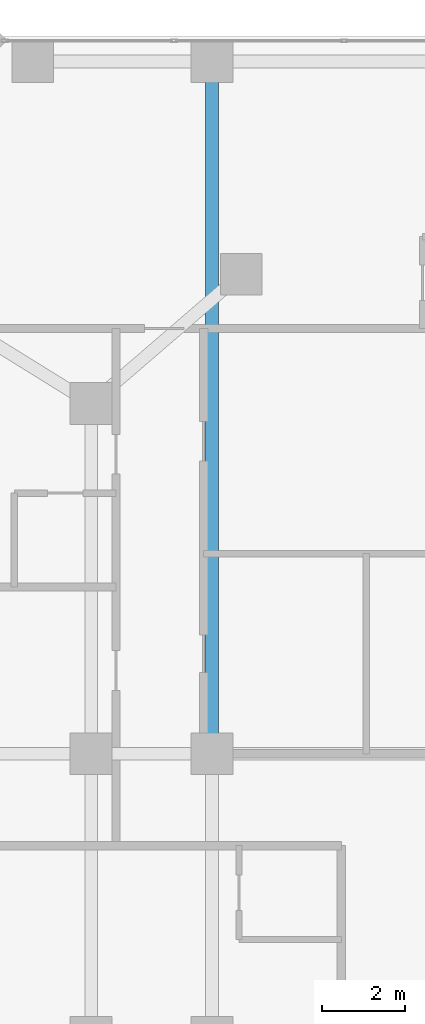
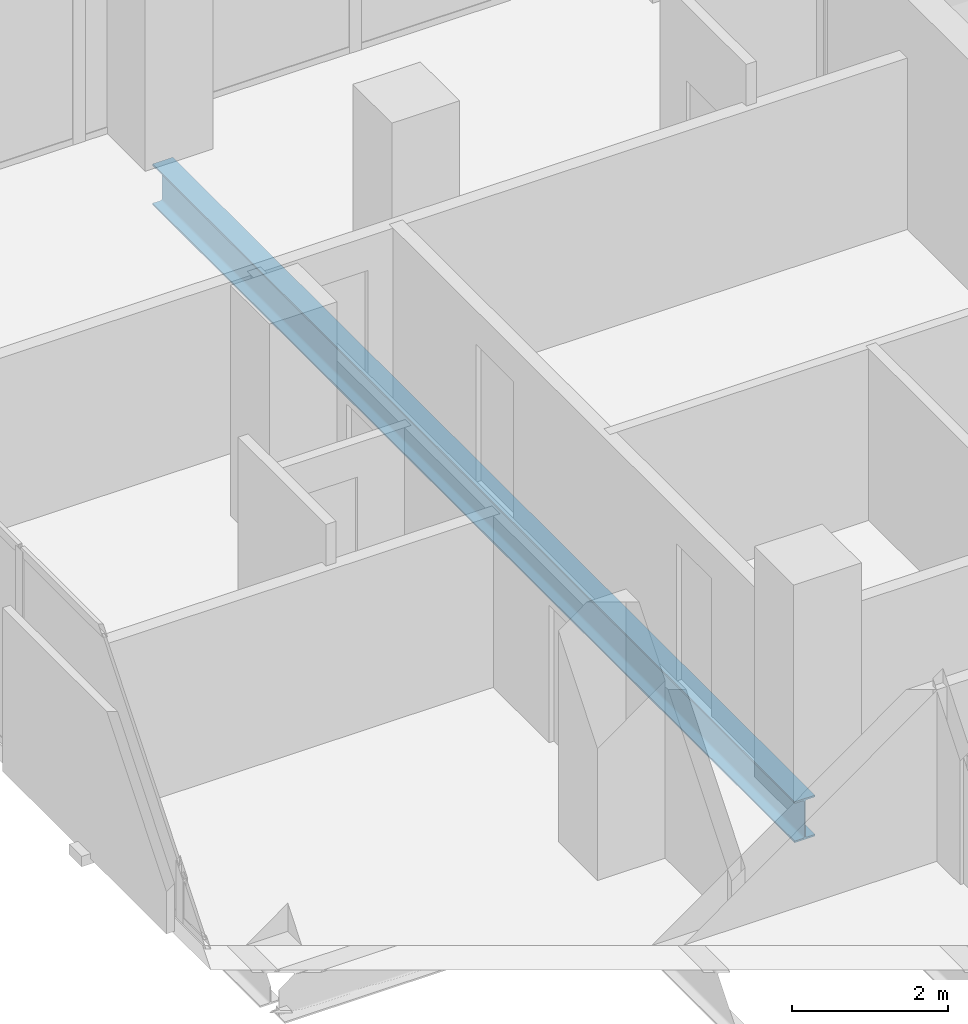
# One storey, part 17 of 32: 1 beam.
"""IFC4 building model written with IfcOpenShell, lengths in metres."""

from ifc_helpers import new_model, si_unit, direction, frame, origin, origin_2d, place, context, subcontext, project, spatial, i_section, extrude, material, material_profile, profile_set, type_object, element, save


model = new_model("IFC4")

# Units and contexts
model_context = context("Model", 3, precision=1e-05, world=origin(), true_north=direction((0.0, 1.0)))
body_context = subcontext(model_context, "Body", "Model", "MODEL_VIEW")
ifc_project = project(units=[si_unit("LENGTHUNIT", "METRE"), si_unit("AREAUNIT", "SQUARE_METRE"), si_unit("VOLUMEUNIT", "CUBIC_METRE"), si_unit("PLANEANGLEUNIT", "RADIAN"), si_unit("MASSUNIT", "GRAM", prefix="KILO")], contexts=[model_context])

# Site, building, storey
site_placement = place(None, origin())
site = spatial("IfcSite", under=ifc_project, at=site_placement, CompositionType="ELEMENT")
building_placement = place(site_placement, origin())
building = spatial("IfcBuilding", under=site, at=building_placement, Name="Catumbela Crestline Tower", CompositionType="ELEMENT")
storey_placement = place(building_placement, frame((0.0, 0.0, 29.4)))
storey = spatial("IfcBuildingStorey", under=building, at=storey_placement, Name="L06", CompositionType="ELEMENT", Elevation=29.4)

# Beam
ifc_material = material(Name="Structural steel S355J2", Category="steel")
ifc_material_profile = material_profile(ifc_material, i_section(OverallWidth=0.3, OverallDepth=0.64, WebThickness=0.0135, FlangeThickness=0.026, FilletRadius=0.027, at=origin_2d()), Name="HEA 650")
ifc_profile_set = profile_set([ifc_material_profile], Name="Structural steel S355J2")
beam_type = type_object("IfcBeamType", Name="BG-HEA650", PredefinedType="BEAM", material=ifc_profile_set)
beam_placement = place(storey_placement, frame((8.5, 30.88, -0.58), z_axis=(0.0, 1.0, 0.0), x_axis=(-1.0, 0.0, 0.0)))
element("IfcBeam", 1, at=beam_placement, inside=storey, type_object=beam_type, Name="L06 Beam BM-L06-SN30", PredefinedType="BEAM", context=body_context, shape_type="SweptSolid", body=[
    extrude(i_section(OverallWidth=0.3, OverallDepth=0.64, WebThickness=0.0135, FlangeThickness=0.026, FilletRadius=0.027, at=origin_2d()), origin(), (0.0, 0.0, 1.0), 16.44),
])

save(model, "model.ifc")
